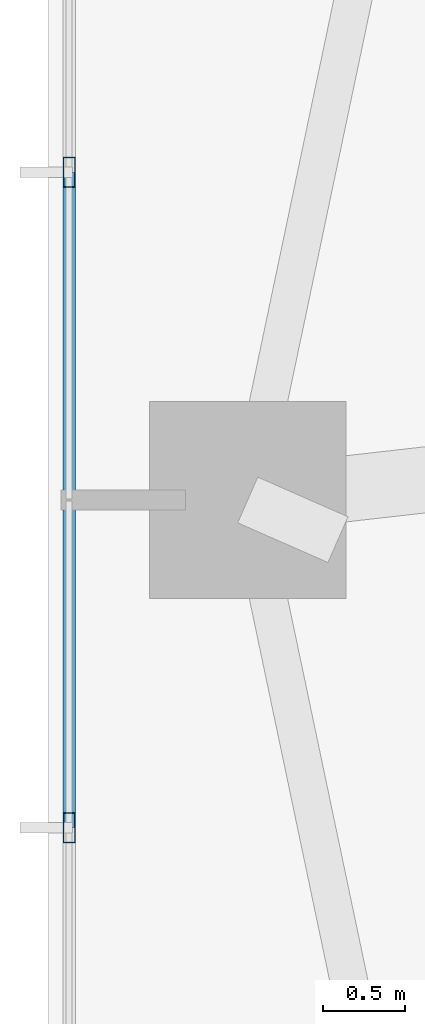
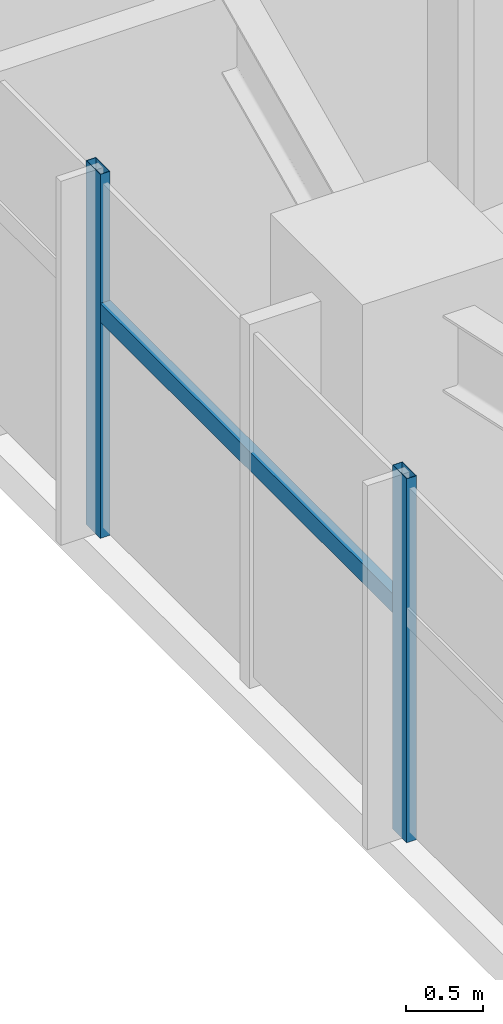
# One storey, part 4 of 25: 3 members, 1 element without a shape of its own.
"""IFC4 building model written with IfcOpenShell, lengths in metres."""

import ifcopenshell
import ifcopenshell.guid

model = None  # the IFC model being written
_history = None  # IfcOwnerHistory: only IFC2X3 demands one
_inside = {}  # id of a spatial element -> (the spatial element, [elements in it])
_under = {}  # id of a project, library or spatial element -> (it, [spatial elements below it])
_declared = {}  # id of a project -> (the project, [libraries it declares])
_typed = {}  # id of a type object -> (the type object, [elements of that type])
_made_of = {}  # id of a material, layer set ... -> (it, [elements and type objects made of it])


def new_model(schema):
    """Start an empty IFC model of exactly this schema.

    Asked for "IFC4X3", IfcOpenShell would pick the latest addendum, in which some entities
    have other attributes; the version numbers below select the first issue.
    IFC2X3 requires an IfcOwnerHistory on every rooted entity: one is made here for all.
    """
    global model, _history
    if schema == "IFC4X3":
        model = ifcopenshell.file(schema_version=(4, 3, 0, 0))
    else:
        model = ifcopenshell.file(schema=schema)
    _inside.clear()
    _under.clear()
    _declared.clear()
    _typed.clear()
    _made_of.clear()
    _history = None
    if model.schema == "IFC2X3":
        org = make("IfcOrganization", Name="unknown")
        user = make(
            "IfcPersonAndOrganization",
            ThePerson=make("IfcPerson", FamilyName="unknown"),
            TheOrganization=org,
        )
        app = make(
            "IfcApplication",
            ApplicationDeveloper=org,
            Version="unknown",
            ApplicationFullName="unknown",
            ApplicationIdentifier="unknown",
        )
        _history = make(
            "IfcOwnerHistory",
            OwningUser=user,
            OwningApplication=app,
            ChangeAction="ADDED",
            CreationDate=0,
        )
    return model


def make(cls, **values):
    """One entity of the class cls with the attributes given. An attribute that is None is left unset."""
    return model.create_entity(
        cls, **{name: value for name, value in values.items() if value is not None}
    )


def rooted(cls, **values):
    """An entity with a GlobalId (a new one), such as an element, a storey or a relation."""
    return make(cls, GlobalId=ifcopenshell.guid.new(), OwnerHistory=_history, **values)


def si_unit(unit_type, name, prefix=None):
    """IfcSIUnit, for example si_unit("LENGTHUNIT", "METRE", prefix="MILLI")."""
    return make("IfcSIUnit", UnitType=unit_type, Prefix=prefix, Name=name)


def assignment(units):
    """IfcUnitAssignment: the units of a project."""
    return None if units is None else make("IfcUnitAssignment", Units=units)


def point(xyz):
    """IfcCartesianPoint."""
    return None if xyz is None else make("IfcCartesianPoint", Coordinates=xyz)


def direction(xyz):
    """IfcDirection."""
    return None if xyz is None else make("IfcDirection", DirectionRatios=xyz)


def frame(location, z_axis=None, x_axis=None):
    """IfcAxis2Placement3D, a coordinate frame: its origin and axes. An axis left out is left unset."""
    return make(
        "IfcAxis2Placement3D",
        Location=point(location),
        Axis=direction(z_axis),
        RefDirection=direction(x_axis),
    )


def frame_2d(location, x_axis=None):
    """IfcAxis2Placement2D, a coordinate frame in the plane: its origin and x axis."""
    return make(
        "IfcAxis2Placement2D", Location=point(location), RefDirection=direction(x_axis)
    )


def origin():
    """The frame at (0, 0, 0) with its axes left unset."""
    return frame((0.0, 0.0, 0.0))


def origin_2d():
    """The frame at (0, 0) in the plane with its x axis left unset."""
    return frame_2d((0.0, 0.0))


def place(relative_to, where):
    """IfcLocalPlacement: puts the frame where relative to a parent placement (None: the world)."""
    return make(
        "IfcLocalPlacement", PlacementRelTo=relative_to, RelativePlacement=where
    )


def context(
    kind, dimensions, precision=None, world=None, true_north=None, identifier=None
):
    """IfcGeometricRepresentationContext, for example the 3D "Model" context."""
    return make(
        "IfcGeometricRepresentationContext",
        ContextIdentifier=identifier,
        ContextType=kind,
        CoordinateSpaceDimension=dimensions,
        Precision=precision,
        WorldCoordinateSystem=world,
        TrueNorth=true_north,
    )


def subcontext(parent, identifier, kind, view, scale=None):
    """IfcGeometricRepresentationSubContext, for example "Body" below "Model"."""
    return make(
        "IfcGeometricRepresentationSubContext",
        ContextIdentifier=identifier,
        ContextType=kind,
        ParentContext=parent,
        TargetScale=scale,
        TargetView=view,
    )


def project(units=None, contexts=None):
    """IfcProject with its units and contexts."""
    return rooted(
        "IfcProject",
        Name="project",
        RepresentationContexts=contexts,
        UnitsInContext=assignment(units),
    )


def spatial(cls, under=None, at=None, **own):
    """A site, building, storey or space (cls), placed at a placement, below another one or the project."""
    s = rooted(cls, ObjectPlacement=at, **own)
    if under is not None:
        _under.setdefault(under.id(), (under, []))[1].append(s)
    return s


def profile(cls, at=None, kind="AREA", **sizes):
    """A parametric profile (cls). Its sizes go by their IFC names, for example OverallWidth=200.0."""
    return make(cls, ProfileType=kind, Position=at, **sizes)


def hollow_rectangle(**sizes):
    """IfcRectangleHollowProfileDef."""
    return profile("IfcRectangleHollowProfileDef", **sizes)


def extrude(swept, where, along, depth):
    """IfcExtrudedAreaSolid: the profile swept, set in the frame where, extruded along a direction by depth."""
    return make(
        "IfcExtrudedAreaSolid",
        SweptArea=swept,
        Position=where,
        ExtrudedDirection=direction(along),
        Depth=depth,
    )


def shape(context_of_items, identifier, shape_type, items):
    """IfcShapeRepresentation: the items that make up one representation, for example the "Body"."""
    return make(
        "IfcShapeRepresentation",
        ContextOfItems=context_of_items,
        RepresentationIdentifier=identifier,
        RepresentationType=shape_type,
        Items=items,
    )


def source(mapping_origin, context_of_items, identifier, shape_type, items):
    """IfcRepresentationMap: a shape defined once, which mapped items show again and again."""
    return make(
        "IfcRepresentationMap",
        MappingOrigin=mapping_origin,
        MappedRepresentation=shape(context_of_items, identifier, shape_type, items),
    )


def transform(
    local_origin,
    x_axis=None,
    y_axis=None,
    z_axis=None,
    scale=None,
    scale2=None,
    scale3=None,
    uniform=True,
):
    """IfcCartesianTransformationOperator3D, or its non-uniform kind. x_axis, y_axis, z_axis: its Axis1, 2, 3."""
    if uniform:
        return make(
            "IfcCartesianTransformationOperator3D",
            Axis1=direction(x_axis),
            Axis2=direction(y_axis),
            LocalOrigin=point(local_origin),
            Scale=scale,
            Axis3=direction(z_axis),
        )
    return make(
        "IfcCartesianTransformationOperator3DnonUniform",
        Axis1=direction(x_axis),
        Axis2=direction(y_axis),
        LocalOrigin=point(local_origin),
        Scale=scale,
        Axis3=direction(z_axis),
        Scale2=scale2,
        Scale3=scale3,
    )


def mapped(mapping_source, mapping_target):
    """IfcMappedItem: shows the shape of a source again, moved by a transform."""
    return make(
        "IfcMappedItem", MappingSource=mapping_source, MappingTarget=mapping_target
    )


def material(Name=None, Category=None):
    """IfcMaterial."""
    return make("IfcMaterial", Name=Name, Category=Category)


def material_profile(
    of_material, cross_section, Name=None, Category=None, Priority=None
):
    """IfcMaterialProfile: a cross section and its material."""
    return make(
        "IfcMaterialProfile",
        Name=Name,
        Material=of_material,
        Profile=cross_section,
        Priority=Priority,
        Category=Category,
    )


def profile_set(profiles, Name=None, composite=None):
    """IfcMaterialProfileSet."""
    return make(
        "IfcMaterialProfileSet",
        Name=Name,
        MaterialProfiles=profiles,
        CompositeProfile=composite,
    )


def made_of(thing, what):
    """Note that an element or type object is made of a material, layer set ...; save() writes the relation."""
    if what is not None:
        _made_of.setdefault(what.id(), (what, []))[1].append(thing)
    return thing


def type_object(cls, material=None, **own):
    """A type object (cls), such as IfcWallType, which elements share."""
    return made_of(rooted(cls, **own), material)


def type_shapes(of_type, sources):
    """Give a type object the sources (RepresentationMaps) that its elements show as mapped items."""
    of_type.RepresentationMaps = sources


def element(
    cls,
    number,
    at=None,
    inside=None,
    cuts=None,
    type_object=None,
    material=None,
    context=None,
    identifier="Body",
    shape_type=None,
    held_by="IfcProductDefinitionShape",
    body=None,
    shapes=None,
    **own,
):
    """One element of the class cls, such as IfcWall. Its Tag is "e" and its number.

    at: its placement. inside: the storey or other place that contains it. cuts: it is an
    opening in that element (IfcRelVoidsElement). A single representation is given by context,
    identifier, shape_type and body (its items); several are given by shapes. held_by: the class
    of the entity that holds the representations. save() writes the other relations.
    """
    e = rooted(cls, Tag="e%d" % number, ObjectPlacement=at, **own)
    if body is not None:
        shapes = [shape(context, identifier, shape_type, body)]
    if shapes is not None:
        e.Representation = make(held_by, Representations=shapes)
    if inside is not None:
        _inside.setdefault(inside.id(), (inside, []))[1].append(e)
    if cuts is not None:
        rooted(
            "IfcRelVoidsElement", RelatingBuildingElement=cuts, RelatedOpeningElement=e
        )
    if type_object is not None:
        _typed.setdefault(type_object.id(), (type_object, []))[1].append(e)
    return made_of(e, material)


def aggregate(whole, parts):
    """IfcRelAggregates: a whole, such as a stair, and the parts it consists of."""
    return rooted("IfcRelAggregates", RelatingObject=whole, RelatedObjects=parts)


def save(model, path):
    """Write the relations noted so far, then the file.

    IfcRelAggregates (storeys below a building ...), IfcRelContainedInSpatialStructure (elements
    in a storey), IfcRelDefinesByType, IfcRelAssociatesMaterial and IfcRelDeclares: one each for
    every whole, place, type object, material and project.
    """
    for whole, parts in _under.values():
        aggregate(whole, parts)
    for where, things in _inside.values():
        rooted(
            "IfcRelContainedInSpatialStructure",
            RelatedElements=things,
            RelatingStructure=where,
        )
    for kind, things in _typed.values():
        rooted("IfcRelDefinesByType", RelatedObjects=things, RelatingType=kind)
    for what, things in _made_of.values():
        rooted("IfcRelAssociatesMaterial", RelatedObjects=things, RelatingMaterial=what)
    for by, libraries in _declared.values():
        rooted("IfcRelDeclares", RelatingContext=by, RelatedDefinitions=libraries)
    model.write(path)


model = new_model("IFC4")

# Units and contexts
model_context = context("Model", 3, precision=1e-05, world=origin(), true_north=direction((0.0, 1.0)))
body_context = subcontext(model_context, "Body", "Model", "MODEL_VIEW")
ifc_project = project(units=[si_unit("LENGTHUNIT", "METRE"), si_unit("AREAUNIT", "SQUARE_METRE"), si_unit("VOLUMEUNIT", "CUBIC_METRE"), si_unit("PLANEANGLEUNIT", "RADIAN"), si_unit("MASSUNIT", "GRAM", prefix="KILO")], contexts=[model_context])

# Site, building, storey
site_placement = place(None, origin())
site = spatial("IfcSite", under=ifc_project, at=site_placement, CompositionType="ELEMENT")
building_placement = place(site_placement, origin())
building = spatial("IfcBuilding", under=site, at=building_placement, Name="Astriad Promenade Condominiums", CompositionType="ELEMENT")
storey_placement = place(building_placement, frame((0.0, 0.0, 64.60009765625)))
storey = spatial("IfcBuildingStorey", under=building, at=storey_placement, Name="L18", CompositionType="ELEMENT", Elevation=64.60009765625)

# Curtain wall, members
ifc_material_1 = material(Name="Anodised aluminium Black Dark Glass Unitised", Category="aluminium")
curtain_wall_type = type_object("IfcCurtainWallType", Name="CW-B1-DARK", PredefinedType="USERDEFINED", material=ifc_material_1)
curtain_wall_placement = place(storey_placement, origin())
curtain_wall = element("IfcCurtainWall", 1, at=curtain_wall_placement, inside=storey, type_object=curtain_wall_type, Name="CW-L18-W", ObjectType="UNITISED_CURTAIN_WALL", PredefinedType="USERDEFINED")
ifc_material_2 = material(Name="Anodised aluminium 6063-T6 Black", Category="aluminium")
ifc_material_profile_1 = material_profile(ifc_material_2, hollow_rectangle(XDim=0.074951171875, YDim=0.14990234375, WallThickness=0.004150390625, at=origin_2d()), Name="ALU-TRN-75X150")
ifc_profile_set_1 = profile_set([ifc_material_profile_1], Name="Anodised aluminium 6063-T6 Black")
member_type_1 = type_object("IfcMemberType", Name="TRN-ALU-TRN-75X150", PredefinedType="USERDEFINED", material=ifc_profile_set_1)
shared_shape_1 = source(origin(), body_context, "Body", "SweptSolid", [
    extrude(hollow_rectangle(XDim=0.074951171875, YDim=0.14990234375, WallThickness=0.004150390625, at=origin_2d()), origin(), (0.0, 0.0, 1.0), 4.0),
])
type_shapes(member_type_1, [shared_shape_1])
member_1_placement = place(storey_placement, frame((5.929931640625, 13.199951171875, 1.7978515625), z_axis=(0.0, 1.0, 0.0), x_axis=(-1.0, 0.0, 0.0)))
member_1 = element("IfcMember", 2, at=member_1_placement, type_object=member_type_1, Name="CW-L18-W-TRN-02-0", ObjectType="TRANSOM", PredefinedType="USERDEFINED", context=body_context, shape_type="MappedRepresentation", body=[
    mapped(shared_shape_1, transform((0.0, 0.0, 0.0), scale=1.0)),
])
ifc_material_profile_2 = material_profile(ifc_material_2, hollow_rectangle(XDim=0.074951171875, YDim=0.18505859375, WallThickness=0.00439453125, at=origin_2d()), Name="ALU-MUL-75X185")
ifc_profile_set_2 = profile_set([ifc_material_profile_2], Name="Anodised aluminium 6063-T6 Black")
member_type_2 = type_object("IfcMemberType", Name="MUL-ALU-MUL-75X185", PredefinedType="MULLION", material=ifc_profile_set_2)
shared_shape_2 = source(origin(), body_context, "Body", "SweptSolid", [
    extrude(hollow_rectangle(XDim=0.074951171875, YDim=0.18505859375, WallThickness=0.00439453125, at=origin_2d()), origin(), (0.0, 0.0, 1.0), 2.89990234375),
])
type_shapes(member_type_2, [shared_shape_2])
member_2_placement = place(storey_placement, frame((5.929931640625, 13.199951171875, 0.0), z_axis=(0.0, 0.0, 1.0), x_axis=(1.0, 0.0, 0.0)))
member_2 = element("IfcMember", 3, at=member_2_placement, type_object=member_type_2, Name="CW-L18-W-MUL-02", PredefinedType="MULLION", context=body_context, shape_type="MappedRepresentation", body=[
    mapped(shared_shape_2, transform((0.0, 0.0, 0.0), scale=1.0)),
])
member_3_placement = place(storey_placement, frame((5.929931640625, 17.199951171875, 0.0), z_axis=(0.0, 0.0, 1.0), x_axis=(1.0, 0.0, 0.0)))
member_3 = element("IfcMember", 4, at=member_3_placement, type_object=member_type_2, Name="CW-L18-W-MUL-03", PredefinedType="MULLION", context=body_context, shape_type="MappedRepresentation", body=[
    mapped(shared_shape_2, transform((0.0, 0.0, 0.0), scale=1.0)),
])
aggregate(curtain_wall, [member_2, member_3, member_1])

save(model, "model.ifc")
